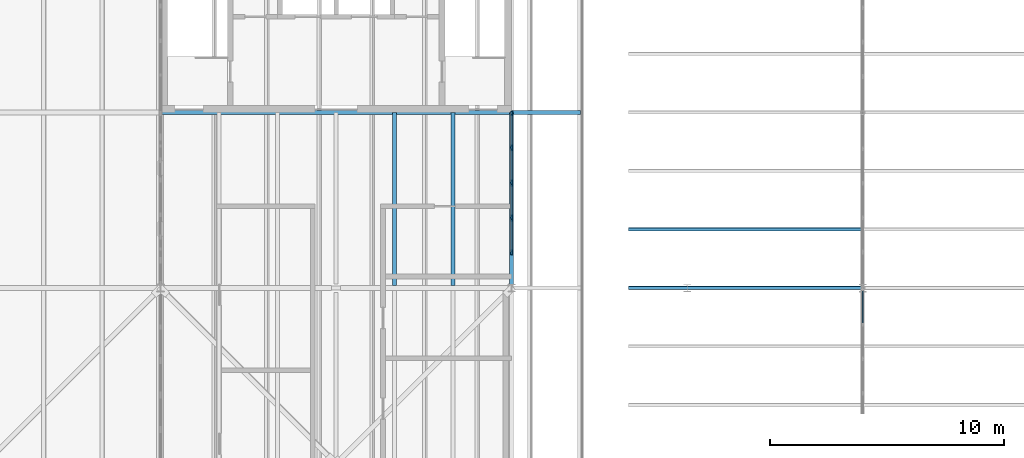
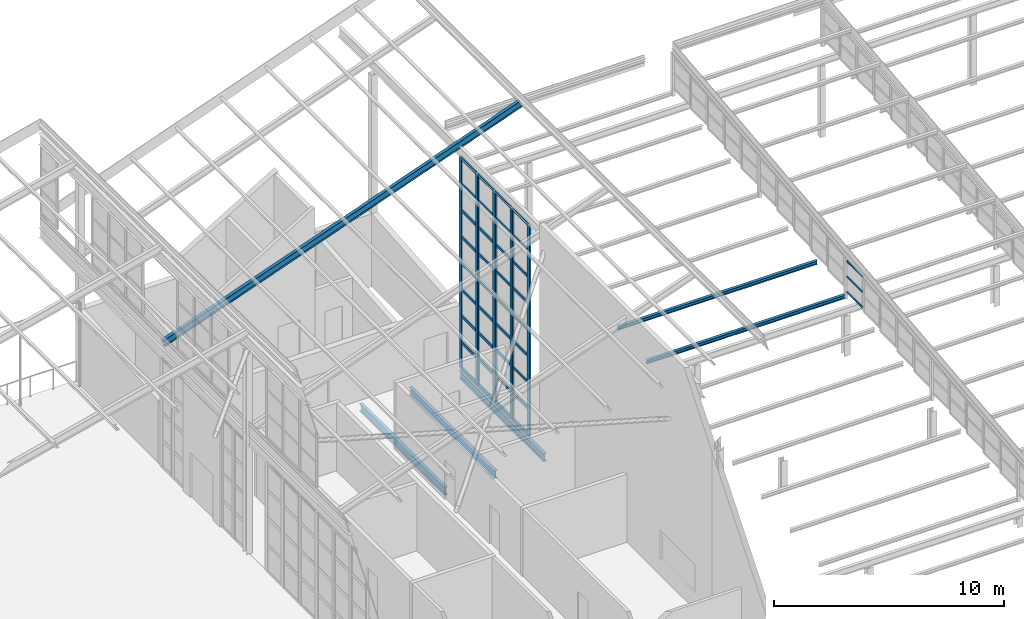
# One storey, part 59 of 483: 50 members, 3 beams, 5 elements without a shape of their own.
"""IFC4 building model written with IfcOpenShell, lengths in metres."""

import ifcopenshell
import ifcopenshell.guid

model = None  # the IFC model being written
_history = None  # IfcOwnerHistory: only IFC2X3 demands one
_inside = {}  # id of a spatial element -> (the spatial element, [elements in it])
_under = {}  # id of a project, library or spatial element -> (it, [spatial elements below it])
_declared = {}  # id of a project -> (the project, [libraries it declares])
_typed = {}  # id of a type object -> (the type object, [elements of that type])
_made_of = {}  # id of a material, layer set ... -> (it, [elements and type objects made of it])


def new_model(schema):
    """Start an empty IFC model of exactly this schema.

    Asked for "IFC4X3", IfcOpenShell would pick the latest addendum, in which some entities
    have other attributes; the version numbers below select the first issue.
    IFC2X3 requires an IfcOwnerHistory on every rooted entity: one is made here for all.
    """
    global model, _history
    if schema == "IFC4X3":
        model = ifcopenshell.file(schema_version=(4, 3, 0, 0))
    else:
        model = ifcopenshell.file(schema=schema)
    _inside.clear()
    _under.clear()
    _declared.clear()
    _typed.clear()
    _made_of.clear()
    _history = None
    if model.schema == "IFC2X3":
        org = make("IfcOrganization", Name="unknown")
        user = make(
            "IfcPersonAndOrganization",
            ThePerson=make("IfcPerson", FamilyName="unknown"),
            TheOrganization=org,
        )
        app = make(
            "IfcApplication",
            ApplicationDeveloper=org,
            Version="unknown",
            ApplicationFullName="unknown",
            ApplicationIdentifier="unknown",
        )
        _history = make(
            "IfcOwnerHistory",
            OwningUser=user,
            OwningApplication=app,
            ChangeAction="ADDED",
            CreationDate=0,
        )
    return model


def make(cls, **values):
    """One entity of the class cls with the attributes given. An attribute that is None is left unset."""
    return model.create_entity(
        cls, **{name: value for name, value in values.items() if value is not None}
    )


def rooted(cls, **values):
    """An entity with a GlobalId (a new one), such as an element, a storey or a relation."""
    return make(cls, GlobalId=ifcopenshell.guid.new(), OwnerHistory=_history, **values)


def si_unit(unit_type, name, prefix=None):
    """IfcSIUnit, for example si_unit("LENGTHUNIT", "METRE", prefix="MILLI")."""
    return make("IfcSIUnit", UnitType=unit_type, Prefix=prefix, Name=name)


def assignment(units):
    """IfcUnitAssignment: the units of a project."""
    return None if units is None else make("IfcUnitAssignment", Units=units)


def point(xyz):
    """IfcCartesianPoint."""
    return None if xyz is None else make("IfcCartesianPoint", Coordinates=xyz)


def direction(xyz):
    """IfcDirection."""
    return None if xyz is None else make("IfcDirection", DirectionRatios=xyz)


def frame(location, z_axis=None, x_axis=None):
    """IfcAxis2Placement3D, a coordinate frame: its origin and axes. An axis left out is left unset."""
    return make(
        "IfcAxis2Placement3D",
        Location=point(location),
        Axis=direction(z_axis),
        RefDirection=direction(x_axis),
    )


def frame_2d(location, x_axis=None):
    """IfcAxis2Placement2D, a coordinate frame in the plane: its origin and x axis."""
    return make(
        "IfcAxis2Placement2D", Location=point(location), RefDirection=direction(x_axis)
    )


def origin():
    """The frame at (0, 0, 0) with its axes left unset."""
    return frame((0.0, 0.0, 0.0))


def origin_2d():
    """The frame at (0, 0) in the plane with its x axis left unset."""
    return frame_2d((0.0, 0.0))


def place(relative_to, where):
    """IfcLocalPlacement: puts the frame where relative to a parent placement (None: the world)."""
    return make(
        "IfcLocalPlacement", PlacementRelTo=relative_to, RelativePlacement=where
    )


def context(
    kind, dimensions, precision=None, world=None, true_north=None, identifier=None
):
    """IfcGeometricRepresentationContext, for example the 3D "Model" context."""
    return make(
        "IfcGeometricRepresentationContext",
        ContextIdentifier=identifier,
        ContextType=kind,
        CoordinateSpaceDimension=dimensions,
        Precision=precision,
        WorldCoordinateSystem=world,
        TrueNorth=true_north,
    )


def subcontext(parent, identifier, kind, view, scale=None):
    """IfcGeometricRepresentationSubContext, for example "Body" below "Model"."""
    return make(
        "IfcGeometricRepresentationSubContext",
        ContextIdentifier=identifier,
        ContextType=kind,
        ParentContext=parent,
        TargetScale=scale,
        TargetView=view,
    )


def project(units=None, contexts=None):
    """IfcProject with its units and contexts."""
    return rooted(
        "IfcProject",
        Name="project",
        RepresentationContexts=contexts,
        UnitsInContext=assignment(units),
    )


def spatial(cls, under=None, at=None, **own):
    """A site, building, storey or space (cls), placed at a placement, below another one or the project."""
    s = rooted(cls, ObjectPlacement=at, **own)
    if under is not None:
        _under.setdefault(under.id(), (under, []))[1].append(s)
    return s


def profile(cls, at=None, kind="AREA", **sizes):
    """A parametric profile (cls). Its sizes go by their IFC names, for example OverallWidth=200.0."""
    return make(cls, ProfileType=kind, Position=at, **sizes)


def rectangle(**sizes):
    """IfcRectangleProfileDef."""
    return profile("IfcRectangleProfileDef", **sizes)


def i_section(**sizes):
    """IfcIShapeProfileDef."""
    return profile("IfcIShapeProfileDef", **sizes)


def extrude(swept, where, along, depth):
    """IfcExtrudedAreaSolid: the profile swept, set in the frame where, extruded along a direction by depth."""
    return make(
        "IfcExtrudedAreaSolid",
        SweptArea=swept,
        Position=where,
        ExtrudedDirection=direction(along),
        Depth=depth,
    )


def shape(context_of_items, identifier, shape_type, items):
    """IfcShapeRepresentation: the items that make up one representation, for example the "Body"."""
    return make(
        "IfcShapeRepresentation",
        ContextOfItems=context_of_items,
        RepresentationIdentifier=identifier,
        RepresentationType=shape_type,
        Items=items,
    )


def material(Name=None, Category=None):
    """IfcMaterial."""
    return make("IfcMaterial", Name=Name, Category=Category)


def material_profile(
    of_material, cross_section, Name=None, Category=None, Priority=None
):
    """IfcMaterialProfile: a cross section and its material."""
    return make(
        "IfcMaterialProfile",
        Name=Name,
        Material=of_material,
        Profile=cross_section,
        Priority=Priority,
        Category=Category,
    )


def profile_set(profiles, Name=None, composite=None):
    """IfcMaterialProfileSet."""
    return make(
        "IfcMaterialProfileSet",
        Name=Name,
        MaterialProfiles=profiles,
        CompositeProfile=composite,
    )


def made_of(thing, what):
    """Note that an element or type object is made of a material, layer set ...; save() writes the relation."""
    if what is not None:
        _made_of.setdefault(what.id(), (what, []))[1].append(thing)
    return thing


def type_object(cls, material=None, **own):
    """A type object (cls), such as IfcWallType, which elements share."""
    return made_of(rooted(cls, **own), material)


def element(
    cls,
    number,
    at=None,
    inside=None,
    cuts=None,
    type_object=None,
    material=None,
    context=None,
    identifier="Body",
    shape_type=None,
    held_by="IfcProductDefinitionShape",
    body=None,
    shapes=None,
    **own,
):
    """One element of the class cls, such as IfcWall. Its Tag is "e" and its number.

    at: its placement. inside: the storey or other place that contains it. cuts: it is an
    opening in that element (IfcRelVoidsElement). A single representation is given by context,
    identifier, shape_type and body (its items); several are given by shapes. held_by: the class
    of the entity that holds the representations. save() writes the other relations.
    """
    e = rooted(cls, Tag="e%d" % number, ObjectPlacement=at, **own)
    if body is not None:
        shapes = [shape(context, identifier, shape_type, body)]
    if shapes is not None:
        e.Representation = make(held_by, Representations=shapes)
    if inside is not None:
        _inside.setdefault(inside.id(), (inside, []))[1].append(e)
    if cuts is not None:
        rooted(
            "IfcRelVoidsElement", RelatingBuildingElement=cuts, RelatedOpeningElement=e
        )
    if type_object is not None:
        _typed.setdefault(type_object.id(), (type_object, []))[1].append(e)
    return made_of(e, material)


def aggregate(whole, parts):
    """IfcRelAggregates: a whole, such as a stair, and the parts it consists of."""
    return rooted("IfcRelAggregates", RelatingObject=whole, RelatedObjects=parts)


def save(model, path):
    """Write the relations noted so far, then the file.

    IfcRelAggregates (storeys below a building ...), IfcRelContainedInSpatialStructure (elements
    in a storey), IfcRelDefinesByType, IfcRelAssociatesMaterial and IfcRelDeclares: one each for
    every whole, place, type object, material and project.
    """
    for whole, parts in _under.values():
        aggregate(whole, parts)
    for where, things in _inside.values():
        rooted(
            "IfcRelContainedInSpatialStructure",
            RelatedElements=things,
            RelatingStructure=where,
        )
    for kind, things in _typed.values():
        rooted("IfcRelDefinesByType", RelatedObjects=things, RelatingType=kind)
    for what, things in _made_of.values():
        rooted("IfcRelAssociatesMaterial", RelatedObjects=things, RelatingMaterial=what)
    for by, libraries in _declared.values():
        rooted("IfcRelDeclares", RelatingContext=by, RelatedDefinitions=libraries)
    model.write(path)


model = new_model("IFC4")

# Units and contexts
model_context = context("Model", 3, precision=1e-05, world=origin(), true_north=direction((0.0, 1.0)))
body_context = subcontext(model_context, "Body", "Model", "MODEL_VIEW")
ifc_project = project(units=[si_unit("LENGTHUNIT", "METRE"), si_unit("AREAUNIT", "SQUARE_METRE"), si_unit("VOLUMEUNIT", "CUBIC_METRE"), si_unit("PLANEANGLEUNIT", "RADIAN"), si_unit("MASSUNIT", "GRAM", prefix="KILO")], contexts=[model_context])

# Site, building, storey
site_placement = place(None, origin())
site = spatial("IfcSite", under=ifc_project, at=site_placement, CompositionType="ELEMENT")
building_placement = place(site_placement, origin())
building = spatial("IfcBuilding", under=site, at=building_placement, Name="Parallax Yard Mobility Hub", CompositionType="ELEMENT")
storey_placement = place(building_placement, frame((0.0, 0.0, 13.199951171875)))
storey = spatial("IfcBuildingStorey", under=building, at=storey_placement, Name="L04", CompositionType="ELEMENT", Elevation=13.199951171875)

# Curtain wall, members
ifc_material_1 = material(Name="Thermally broken aluminium curtain wall system", Category="aluminium")
curtain_wall_type_1 = type_object("IfcCurtainWallType", Name="Tall curtain wall run 75 x 200 frame", PredefinedType="NOTDEFINED", material=ifc_material_1)
curtain_wall_1_placement = place(storey_placement, origin())
curtain_wall_1 = element("IfcCurtainWall", 1, at=curtain_wall_1_placement, inside=storey, type_object=curtain_wall_type_1, Name="Curtain wall run Rooftop sports deck east bay 3 level L04", PredefinedType="NOTDEFINED")
ifc_material_2 = material(Name="Extruded aluminium", Category="aluminium")
ifc_material_profile_1 = material_profile(ifc_material_2, rectangle(XDim=0.074951171875, YDim=0.199951171875, at=origin_2d()), Name="Mullion 75 x 200")
ifc_profile_set_1 = profile_set([ifc_material_profile_1], Name="Extruded aluminium")
member_type_1 = type_object("IfcMemberType", Name="Mullion 75 x 200", PredefinedType="MULLION", material=ifc_profile_set_1)
member_1_placement = place(storey_placement, frame((142.5, 39.03759765625, 0.0), z_axis=(0.0, 0.0, 1.0), x_axis=(-1.0, 0.0, 0.0)))
member_1 = element("IfcMember", 2, at=member_1_placement, type_object=member_type_1, Name="CW3 mullion 1", PredefinedType="MULLION", context=body_context, shape_type="SweptSolid", body=[
    extrude(rectangle(XDim=0.074951171875, YDim=0.199951171875, at=origin_2d()), origin(), (0.0, 0.0, 1.0), 11.199951171875),
])
member_2_placement = place(storey_placement, frame((142.5, 40.46240234375, 0.0), z_axis=(0.0, 0.0, 1.0), x_axis=(-1.0, 0.0, 0.0)))
member_2 = element("IfcMember", 3, at=member_2_placement, type_object=member_type_1, Name="CW3 mullion 2", PredefinedType="MULLION", context=body_context, shape_type="SweptSolid", body=[
    extrude(rectangle(XDim=0.074951171875, YDim=0.199951171875, at=origin_2d()), origin(), (0.0, 0.0, 1.0), 11.199951171875),
])

curtain_wall_2_placement = place(storey_placement, origin())
curtain_wall_2 = element("IfcCurtainWall", 4, at=curtain_wall_2_placement, inside=storey, type_object=curtain_wall_type_1, Name="Curtain wall run Rooftop sports deck east bay 3 level L04", PredefinedType="NOTDEFINED")
member_3_placement = place(storey_placement, frame((142.5, 40.53759765625, 0.0), z_axis=(0.0, 0.0, 1.0), x_axis=(-1.0, 0.0, 0.0)))
member_3 = element("IfcMember", 5, at=member_3_placement, type_object=member_type_1, Name="CW3 mullion 1", PredefinedType="MULLION", context=body_context, shape_type="SweptSolid", body=[
    extrude(rectangle(XDim=0.074951171875, YDim=0.199951171875, at=origin_2d()), origin(), (0.0, 0.0, 1.0), 11.199951171875),
])
member_4_placement = place(storey_placement, frame((142.5, 41.96240234375, 0.0), z_axis=(0.0, 0.0, 1.0), x_axis=(-1.0, 0.0, 0.0)))
member_4 = element("IfcMember", 6, at=member_4_placement, type_object=member_type_1, Name="CW3 mullion 2", PredefinedType="MULLION", context=body_context, shape_type="SweptSolid", body=[
    extrude(rectangle(XDim=0.074951171875, YDim=0.199951171875, at=origin_2d()), origin(), (0.0, 0.0, 1.0), 11.199951171875),
])

curtain_wall_3_placement = place(storey_placement, origin())
curtain_wall_3 = element("IfcCurtainWall", 7, at=curtain_wall_3_placement, inside=storey, type_object=curtain_wall_type_1, Name="Curtain wall run Rooftop sports deck east bay 3 level L04", PredefinedType="NOTDEFINED")
member_5_placement = place(storey_placement, frame((142.5, 42.03759765625, 0.0), z_axis=(0.0, 0.0, 1.0), x_axis=(-1.0, 0.0, 0.0)))
member_5 = element("IfcMember", 8, at=member_5_placement, type_object=member_type_1, Name="CW3 mullion 1", PredefinedType="MULLION", context=body_context, shape_type="SweptSolid", body=[
    extrude(rectangle(XDim=0.074951171875, YDim=0.199951171875, at=origin_2d()), origin(), (0.0, 0.0, 1.0), 11.199951171875),
])
member_6_placement = place(storey_placement, frame((142.5, 43.46240234375, 0.0), z_axis=(0.0, 0.0, 1.0), x_axis=(-1.0, 0.0, 0.0)))
member_6 = element("IfcMember", 9, at=member_6_placement, type_object=member_type_1, Name="CW3 mullion 2", PredefinedType="MULLION", context=body_context, shape_type="SweptSolid", body=[
    extrude(rectangle(XDim=0.074951171875, YDim=0.199951171875, at=origin_2d()), origin(), (0.0, 0.0, 1.0), 11.199951171875),
])

curtain_wall_4_placement = place(storey_placement, origin())
curtain_wall_4 = element("IfcCurtainWall", 10, at=curtain_wall_4_placement, inside=storey, type_object=curtain_wall_type_1, Name="Curtain wall run Rooftop sports deck east bay 3 level L04", PredefinedType="NOTDEFINED")
member_7_placement = place(storey_placement, frame((142.5, 43.53759765625, 0.0), z_axis=(0.0, 0.0, 1.0), x_axis=(-1.0, 0.0, 0.0)))
member_7 = element("IfcMember", 11, at=member_7_placement, type_object=member_type_1, Name="CW3 mullion 1", PredefinedType="MULLION", context=body_context, shape_type="SweptSolid", body=[
    extrude(rectangle(XDim=0.074951171875, YDim=0.199951171875, at=origin_2d()), origin(), (0.0, 0.0, 1.0), 11.199951171875),
])
member_8_placement = place(storey_placement, frame((142.5, 44.96240234375, 0.0), z_axis=(0.0, 0.0, 1.0), x_axis=(-1.0, 0.0, 0.0)))
member_8 = element("IfcMember", 12, at=member_8_placement, type_object=member_type_1, Name="CW3 mullion 2", PredefinedType="MULLION", context=body_context, shape_type="SweptSolid", body=[
    extrude(rectangle(XDim=0.074951171875, YDim=0.199951171875, at=origin_2d()), origin(), (0.0, 0.0, 1.0), 11.199951171875),
])

# Members
ifc_material_3 = material(Name="Steel ASTM A992", Category="steel")
ifc_material_profile_2 = material_profile(ifc_material_3, i_section(OverallWidth=0.133056640625, OverallDepth=0.20703125, WebThickness=0.005859375, FlangeThickness=0.00830078125, at=origin_2d()), Name="W200x27")
ifc_profile_set_2 = profile_set([ifc_material_profile_2], Name="Steel ASTM A992")
member_type_2 = type_object("IfcMemberType", Name="Roof purlin W200x27", PredefinedType="PURLIN", material=ifc_profile_set_2)
for number, where, z_axis, x_axis, name in (
    (13, (147.5, 37.511474609375, 3.0859375), (1.0, 0.0, 0.0), (0.0, 0.993883718765, 0.110431669255), "Roof purlin west of the monitor at y 37.5"),
    (14, (147.5, 40.011474609375, 3.36376953125), (1.0, 0.0, 0.0), (0.0, 0.993883718765, 0.110431669255), "Roof purlin west of the monitor at y 40"),
):
    element("IfcMember", number, at=place(storey_placement, frame(where, z_axis=z_axis, x_axis=x_axis)), inside=storey, type_object=member_type_2, Name=name, PredefinedType="PURLIN", context=body_context, shape_type="SweptSolid", body=[
        extrude(i_section(OverallWidth=0.133056640625, OverallDepth=0.20703125, WebThickness=0.005859375, FlangeThickness=0.00830078125, at=origin_2d()), origin(), (0.0, 0.0, 1.0), 10.0),
    ])
ifc_material_profile_3 = material_profile(ifc_material_3, i_section(OverallWidth=0.1708984375, OverallDepth=0.35498046875, WebThickness=0.007080078125, FlangeThickness=0.01171875, at=origin_2d()), Name="W360x51")
ifc_profile_set_3 = profile_set([ifc_material_profile_3], Name="Steel ASTM A992")
member_type_3 = type_object("IfcMemberType", Name="Roof rafter W360x51", PredefinedType="RAFTER", material=ifc_profile_set_3)
member_9_placement = place(storey_placement, frame((127.56005859375, 45.0, 6.499267578125), z_axis=(0.940884475378, 0.0, 0.33872762508), x_axis=(0.0, 1.0, 0.0)))
element("IfcMember", 15, at=member_9_placement, inside=storey, type_object=member_type_3, Name="Roof rafter pavilion at y 45", PredefinedType="RAFTER", context=body_context, shape_type="SweptSolid", body=[
    extrude(i_section(OverallWidth=0.1708984375, OverallDepth=0.35498046875, WebThickness=0.007080078125, FlangeThickness=0.01171875, at=origin_2d()), origin(), (0.0, 0.0, 1.0), 19.07763671875),
])

# Curtain wall, members
curtain_wall_type_2 = type_object("IfcCurtainWallType", Name="Clerestory glazing run 60 x 120 frame", PredefinedType="NOTDEFINED", material=ifc_material_1)
curtain_wall_5_placement = place(storey_placement, origin())
curtain_wall_5 = element("IfcCurtainWall", 16, at=curtain_wall_5_placement, inside=storey, type_object=curtain_wall_type_2, Name="Clerestory glazing run Bicycle and shared-mobility hall roof step 1 bay 4 level L02", PredefinedType="NOTDEFINED")
ifc_material_profile_4 = material_profile(ifc_material_2, rectangle(XDim=0.06005859375, YDim=0.10009765625, at=origin_2d()), Name="Transom 60 x 100")
ifc_profile_set_4 = profile_set([ifc_material_profile_4], Name="Extruded aluminium")
member_type_4 = type_object("IfcMemberType", Name="Transom 60 x 100", PredefinedType="USERDEFINED", material=ifc_profile_set_4)
member_10_placement = place(storey_placement, frame((157.5, 36.014404296875, 3.371337890625), z_axis=(0.0, 1.0, 0.0), x_axis=(-1.0, 0.0, 0.0)))
member_10 = element("IfcMember", 17, at=member_10_placement, type_object=member_type_4, Name="CW4 transom 1.1", ObjectType="TRANSOM", PredefinedType="USERDEFINED", context=body_context, shape_type="SweptSolid", body=[
    extrude(rectangle(XDim=0.06005859375, YDim=0.10009765625, at=origin_2d()), origin(), (0.0, 0.0, 1.0), 1.349365234375),
])
member_11_placement = place(storey_placement, frame((157.5, 36.014404296875, 4.189697265625), z_axis=(0.0, 1.0, 0.0), x_axis=(-1.0, 0.0, 0.0)))
member_11 = element("IfcMember", 18, at=member_11_placement, type_object=member_type_4, Name="CW4 transom 1.2", ObjectType="TRANSOM", PredefinedType="USERDEFINED", context=body_context, shape_type="SweptSolid", body=[
    extrude(rectangle(XDim=0.06005859375, YDim=0.10009765625, at=origin_2d()), origin(), (0.0, 0.0, 1.0), 1.349365234375),
])
member_12_placement = place(storey_placement, frame((157.5, 36.014404296875, 5.008056640625), z_axis=(0.0, 1.0, 0.0), x_axis=(-1.0, 0.0, 0.0)))
member_12 = element("IfcMember", 19, at=member_12_placement, type_object=member_type_4, Name="CW4 transom 1.3", ObjectType="TRANSOM", PredefinedType="USERDEFINED", context=body_context, shape_type="SweptSolid", body=[
    extrude(rectangle(XDim=0.06005859375, YDim=0.10009765625, at=origin_2d()), origin(), (0.0, 0.0, 1.0), 1.349365234375),
])
aggregate(curtain_wall_5, [member_10, member_11, member_12])

# Member
ifc_material_profile_5 = material_profile(ifc_material_2, rectangle(XDim=0.074951171875, YDim=0.14990234375, at=origin_2d()), Name="Transom 75 x 150")
ifc_profile_set_5 = profile_set([ifc_material_profile_5], Name="Extruded aluminium")
member_type_5 = type_object("IfcMemberType", Name="Transom 75 x 150", PredefinedType="USERDEFINED", material=ifc_profile_set_5)
member_13_placement = place(storey_placement, frame((142.5, 39.074951171875, 0.03759765625), z_axis=(0.0, 1.0, 0.0), x_axis=(-1.0, 0.0, 0.0)))
member_13 = element("IfcMember", 20, at=member_13_placement, type_object=member_type_5, Name="CW3 transom 1.1", ObjectType="TRANSOM", PredefinedType="USERDEFINED", context=body_context, shape_type="SweptSolid", body=[
    extrude(rectangle(XDim=0.074951171875, YDim=0.14990234375, at=origin_2d()), origin(), (0.0, 0.0, 1.0), 1.35009765625),
])

member_14_placement = place(storey_placement, frame((142.5, 39.074951171875, 1.400146484375), z_axis=(0.0, 1.0, 0.0), x_axis=(-1.0, 0.0, 0.0)))
member_14 = element("IfcMember", 21, at=member_14_placement, type_object=member_type_5, Name="CW3 transom 1.2", ObjectType="TRANSOM", PredefinedType="USERDEFINED", context=body_context, shape_type="SweptSolid", body=[
    extrude(rectangle(XDim=0.074951171875, YDim=0.14990234375, at=origin_2d()), origin(), (0.0, 0.0, 1.0), 1.35009765625),
])

member_15_placement = place(storey_placement, frame((142.5, 39.074951171875, 2.800048828125), z_axis=(0.0, 1.0, 0.0), x_axis=(-1.0, 0.0, 0.0)))
member_15 = element("IfcMember", 22, at=member_15_placement, type_object=member_type_5, Name="CW3 transom 1.3", ObjectType="TRANSOM", PredefinedType="USERDEFINED", context=body_context, shape_type="SweptSolid", body=[
    extrude(rectangle(XDim=0.074951171875, YDim=0.14990234375, at=origin_2d()), origin(), (0.0, 0.0, 1.0), 1.35009765625),
])

member_16_placement = place(storey_placement, frame((142.5, 39.074951171875, 4.199951171875), z_axis=(0.0, 1.0, 0.0), x_axis=(-1.0, 0.0, 0.0)))
member_16 = element("IfcMember", 23, at=member_16_placement, type_object=member_type_5, Name="CW3 transom 1.4", ObjectType="TRANSOM", PredefinedType="USERDEFINED", context=body_context, shape_type="SweptSolid", body=[
    extrude(rectangle(XDim=0.074951171875, YDim=0.14990234375, at=origin_2d()), origin(), (0.0, 0.0, 1.0), 1.35009765625),
])

member_17_placement = place(storey_placement, frame((142.5, 39.074951171875, 5.60009765625), z_axis=(0.0, 1.0, 0.0), x_axis=(-1.0, 0.0, 0.0)))
member_17 = element("IfcMember", 24, at=member_17_placement, type_object=member_type_5, Name="CW3 transom 1.5", ObjectType="TRANSOM", PredefinedType="USERDEFINED", context=body_context, shape_type="SweptSolid", body=[
    extrude(rectangle(XDim=0.074951171875, YDim=0.14990234375, at=origin_2d()), origin(), (0.0, 0.0, 1.0), 1.35009765625),
])

member_18_placement = place(storey_placement, frame((142.5, 39.074951171875, 7.0), z_axis=(0.0, 1.0, 0.0), x_axis=(-1.0, 0.0, 0.0)))
member_18 = element("IfcMember", 25, at=member_18_placement, type_object=member_type_5, Name="CW3 transom 1.6", ObjectType="TRANSOM", PredefinedType="USERDEFINED", context=body_context, shape_type="SweptSolid", body=[
    extrude(rectangle(XDim=0.074951171875, YDim=0.14990234375, at=origin_2d()), origin(), (0.0, 0.0, 1.0), 1.35009765625),
])

member_19_placement = place(storey_placement, frame((142.5, 39.074951171875, 8.400146484375), z_axis=(0.0, 1.0, 0.0), x_axis=(-1.0, 0.0, 0.0)))
member_19 = element("IfcMember", 26, at=member_19_placement, type_object=member_type_5, Name="CW3 transom 1.7", ObjectType="TRANSOM", PredefinedType="USERDEFINED", context=body_context, shape_type="SweptSolid", body=[
    extrude(rectangle(XDim=0.074951171875, YDim=0.14990234375, at=origin_2d()), origin(), (0.0, 0.0, 1.0), 1.35009765625),
])

member_20_placement = place(storey_placement, frame((142.5, 39.074951171875, 9.800048828125), z_axis=(0.0, 1.0, 0.0), x_axis=(-1.0, 0.0, 0.0)))
member_20 = element("IfcMember", 27, at=member_20_placement, type_object=member_type_5, Name="CW3 transom 1.8", ObjectType="TRANSOM", PredefinedType="USERDEFINED", context=body_context, shape_type="SweptSolid", body=[
    extrude(rectangle(XDim=0.074951171875, YDim=0.14990234375, at=origin_2d()), origin(), (0.0, 0.0, 1.0), 1.35009765625),
])

member_21_placement = place(storey_placement, frame((142.5, 39.074951171875, 11.16259765625), z_axis=(0.0, 1.0, 0.0), x_axis=(-1.0, 0.0, 0.0)))
member_21 = element("IfcMember", 28, at=member_21_placement, type_object=member_type_5, Name="CW3 transom 1.9", ObjectType="TRANSOM", PredefinedType="USERDEFINED", context=body_context, shape_type="SweptSolid", body=[
    extrude(rectangle(XDim=0.074951171875, YDim=0.14990234375, at=origin_2d()), origin(), (0.0, 0.0, 1.0), 1.35009765625),
])

aggregate(curtain_wall_1, [member_1, member_2, member_13, member_14, member_15, member_16, member_17, member_18, member_19, member_20, member_21])

member_22_placement = place(storey_placement, frame((142.5, 40.574951171875, 0.03759765625), z_axis=(0.0, 1.0, 0.0), x_axis=(-1.0, 0.0, 0.0)))
member_22 = element("IfcMember", 29, at=member_22_placement, type_object=member_type_5, Name="CW3 transom 1.1", ObjectType="TRANSOM", PredefinedType="USERDEFINED", context=body_context, shape_type="SweptSolid", body=[
    extrude(rectangle(XDim=0.074951171875, YDim=0.14990234375, at=origin_2d()), origin(), (0.0, 0.0, 1.0), 1.35009765625),
])

member_23_placement = place(storey_placement, frame((142.5, 40.574951171875, 1.400146484375), z_axis=(0.0, 1.0, 0.0), x_axis=(-1.0, 0.0, 0.0)))
member_23 = element("IfcMember", 30, at=member_23_placement, type_object=member_type_5, Name="CW3 transom 1.2", ObjectType="TRANSOM", PredefinedType="USERDEFINED", context=body_context, shape_type="SweptSolid", body=[
    extrude(rectangle(XDim=0.074951171875, YDim=0.14990234375, at=origin_2d()), origin(), (0.0, 0.0, 1.0), 1.35009765625),
])

member_24_placement = place(storey_placement, frame((142.5, 40.574951171875, 2.800048828125), z_axis=(0.0, 1.0, 0.0), x_axis=(-1.0, 0.0, 0.0)))
member_24 = element("IfcMember", 31, at=member_24_placement, type_object=member_type_5, Name="CW3 transom 1.3", ObjectType="TRANSOM", PredefinedType="USERDEFINED", context=body_context, shape_type="SweptSolid", body=[
    extrude(rectangle(XDim=0.074951171875, YDim=0.14990234375, at=origin_2d()), origin(), (0.0, 0.0, 1.0), 1.35009765625),
])

member_25_placement = place(storey_placement, frame((142.5, 40.574951171875, 4.199951171875), z_axis=(0.0, 1.0, 0.0), x_axis=(-1.0, 0.0, 0.0)))
member_25 = element("IfcMember", 32, at=member_25_placement, type_object=member_type_5, Name="CW3 transom 1.4", ObjectType="TRANSOM", PredefinedType="USERDEFINED", context=body_context, shape_type="SweptSolid", body=[
    extrude(rectangle(XDim=0.074951171875, YDim=0.14990234375, at=origin_2d()), origin(), (0.0, 0.0, 1.0), 1.35009765625),
])

member_26_placement = place(storey_placement, frame((142.5, 40.574951171875, 5.60009765625), z_axis=(0.0, 1.0, 0.0), x_axis=(-1.0, 0.0, 0.0)))
member_26 = element("IfcMember", 33, at=member_26_placement, type_object=member_type_5, Name="CW3 transom 1.5", ObjectType="TRANSOM", PredefinedType="USERDEFINED", context=body_context, shape_type="SweptSolid", body=[
    extrude(rectangle(XDim=0.074951171875, YDim=0.14990234375, at=origin_2d()), origin(), (0.0, 0.0, 1.0), 1.35009765625),
])

member_27_placement = place(storey_placement, frame((142.5, 40.574951171875, 7.0), z_axis=(0.0, 1.0, 0.0), x_axis=(-1.0, 0.0, 0.0)))
member_27 = element("IfcMember", 34, at=member_27_placement, type_object=member_type_5, Name="CW3 transom 1.6", ObjectType="TRANSOM", PredefinedType="USERDEFINED", context=body_context, shape_type="SweptSolid", body=[
    extrude(rectangle(XDim=0.074951171875, YDim=0.14990234375, at=origin_2d()), origin(), (0.0, 0.0, 1.0), 1.35009765625),
])

member_28_placement = place(storey_placement, frame((142.5, 40.574951171875, 8.400146484375), z_axis=(0.0, 1.0, 0.0), x_axis=(-1.0, 0.0, 0.0)))
member_28 = element("IfcMember", 35, at=member_28_placement, type_object=member_type_5, Name="CW3 transom 1.7", ObjectType="TRANSOM", PredefinedType="USERDEFINED", context=body_context, shape_type="SweptSolid", body=[
    extrude(rectangle(XDim=0.074951171875, YDim=0.14990234375, at=origin_2d()), origin(), (0.0, 0.0, 1.0), 1.35009765625),
])

member_29_placement = place(storey_placement, frame((142.5, 40.574951171875, 9.800048828125), z_axis=(0.0, 1.0, 0.0), x_axis=(-1.0, 0.0, 0.0)))
member_29 = element("IfcMember", 36, at=member_29_placement, type_object=member_type_5, Name="CW3 transom 1.8", ObjectType="TRANSOM", PredefinedType="USERDEFINED", context=body_context, shape_type="SweptSolid", body=[
    extrude(rectangle(XDim=0.074951171875, YDim=0.14990234375, at=origin_2d()), origin(), (0.0, 0.0, 1.0), 1.35009765625),
])

member_30_placement = place(storey_placement, frame((142.5, 40.574951171875, 11.16259765625), z_axis=(0.0, 1.0, 0.0), x_axis=(-1.0, 0.0, 0.0)))
member_30 = element("IfcMember", 37, at=member_30_placement, type_object=member_type_5, Name="CW3 transom 1.9", ObjectType="TRANSOM", PredefinedType="USERDEFINED", context=body_context, shape_type="SweptSolid", body=[
    extrude(rectangle(XDim=0.074951171875, YDim=0.14990234375, at=origin_2d()), origin(), (0.0, 0.0, 1.0), 1.35009765625),
])

aggregate(curtain_wall_2, [member_3, member_4, member_22, member_23, member_24, member_25, member_26, member_27, member_28, member_29, member_30])

member_31_placement = place(storey_placement, frame((142.5, 42.074951171875, 0.03759765625), z_axis=(0.0, 1.0, 0.0), x_axis=(-1.0, 0.0, 0.0)))
member_31 = element("IfcMember", 38, at=member_31_placement, type_object=member_type_5, Name="CW3 transom 1.1", ObjectType="TRANSOM", PredefinedType="USERDEFINED", context=body_context, shape_type="SweptSolid", body=[
    extrude(rectangle(XDim=0.074951171875, YDim=0.14990234375, at=origin_2d()), origin(), (0.0, 0.0, 1.0), 1.35009765625),
])

member_32_placement = place(storey_placement, frame((142.5, 42.074951171875, 1.400146484375), z_axis=(0.0, 1.0, 0.0), x_axis=(-1.0, 0.0, 0.0)))
member_32 = element("IfcMember", 39, at=member_32_placement, type_object=member_type_5, Name="CW3 transom 1.2", ObjectType="TRANSOM", PredefinedType="USERDEFINED", context=body_context, shape_type="SweptSolid", body=[
    extrude(rectangle(XDim=0.074951171875, YDim=0.14990234375, at=origin_2d()), origin(), (0.0, 0.0, 1.0), 1.35009765625),
])

member_33_placement = place(storey_placement, frame((142.5, 42.074951171875, 2.800048828125), z_axis=(0.0, 1.0, 0.0), x_axis=(-1.0, 0.0, 0.0)))
member_33 = element("IfcMember", 40, at=member_33_placement, type_object=member_type_5, Name="CW3 transom 1.3", ObjectType="TRANSOM", PredefinedType="USERDEFINED", context=body_context, shape_type="SweptSolid", body=[
    extrude(rectangle(XDim=0.074951171875, YDim=0.14990234375, at=origin_2d()), origin(), (0.0, 0.0, 1.0), 1.35009765625),
])

member_34_placement = place(storey_placement, frame((142.5, 42.074951171875, 4.199951171875), z_axis=(0.0, 1.0, 0.0), x_axis=(-1.0, 0.0, 0.0)))
member_34 = element("IfcMember", 41, at=member_34_placement, type_object=member_type_5, Name="CW3 transom 1.4", ObjectType="TRANSOM", PredefinedType="USERDEFINED", context=body_context, shape_type="SweptSolid", body=[
    extrude(rectangle(XDim=0.074951171875, YDim=0.14990234375, at=origin_2d()), origin(), (0.0, 0.0, 1.0), 1.35009765625),
])

member_35_placement = place(storey_placement, frame((142.5, 42.074951171875, 5.60009765625), z_axis=(0.0, 1.0, 0.0), x_axis=(-1.0, 0.0, 0.0)))
member_35 = element("IfcMember", 42, at=member_35_placement, type_object=member_type_5, Name="CW3 transom 1.5", ObjectType="TRANSOM", PredefinedType="USERDEFINED", context=body_context, shape_type="SweptSolid", body=[
    extrude(rectangle(XDim=0.074951171875, YDim=0.14990234375, at=origin_2d()), origin(), (0.0, 0.0, 1.0), 1.35009765625),
])

member_36_placement = place(storey_placement, frame((142.5, 42.074951171875, 7.0), z_axis=(0.0, 1.0, 0.0), x_axis=(-1.0, 0.0, 0.0)))
member_36 = element("IfcMember", 43, at=member_36_placement, type_object=member_type_5, Name="CW3 transom 1.6", ObjectType="TRANSOM", PredefinedType="USERDEFINED", context=body_context, shape_type="SweptSolid", body=[
    extrude(rectangle(XDim=0.074951171875, YDim=0.14990234375, at=origin_2d()), origin(), (0.0, 0.0, 1.0), 1.35009765625),
])

member_37_placement = place(storey_placement, frame((142.5, 42.074951171875, 8.400146484375), z_axis=(0.0, 1.0, 0.0), x_axis=(-1.0, 0.0, 0.0)))
member_37 = element("IfcMember", 44, at=member_37_placement, type_object=member_type_5, Name="CW3 transom 1.7", ObjectType="TRANSOM", PredefinedType="USERDEFINED", context=body_context, shape_type="SweptSolid", body=[
    extrude(rectangle(XDim=0.074951171875, YDim=0.14990234375, at=origin_2d()), origin(), (0.0, 0.0, 1.0), 1.35009765625),
])

member_38_placement = place(storey_placement, frame((142.5, 42.074951171875, 9.800048828125), z_axis=(0.0, 1.0, 0.0), x_axis=(-1.0, 0.0, 0.0)))
member_38 = element("IfcMember", 45, at=member_38_placement, type_object=member_type_5, Name="CW3 transom 1.8", ObjectType="TRANSOM", PredefinedType="USERDEFINED", context=body_context, shape_type="SweptSolid", body=[
    extrude(rectangle(XDim=0.074951171875, YDim=0.14990234375, at=origin_2d()), origin(), (0.0, 0.0, 1.0), 1.35009765625),
])

member_39_placement = place(storey_placement, frame((142.5, 42.074951171875, 11.16259765625), z_axis=(0.0, 1.0, 0.0), x_axis=(-1.0, 0.0, 0.0)))
member_39 = element("IfcMember", 46, at=member_39_placement, type_object=member_type_5, Name="CW3 transom 1.9", ObjectType="TRANSOM", PredefinedType="USERDEFINED", context=body_context, shape_type="SweptSolid", body=[
    extrude(rectangle(XDim=0.074951171875, YDim=0.14990234375, at=origin_2d()), origin(), (0.0, 0.0, 1.0), 1.35009765625),
])

aggregate(curtain_wall_3, [member_5, member_6, member_31, member_32, member_33, member_34, member_35, member_36, member_37, member_38, member_39])

member_40_placement = place(storey_placement, frame((142.5, 43.574951171875, 0.03759765625), z_axis=(0.0, 1.0, 0.0), x_axis=(-1.0, 0.0, 0.0)))
member_40 = element("IfcMember", 47, at=member_40_placement, type_object=member_type_5, Name="CW3 transom 1.1", ObjectType="TRANSOM", PredefinedType="USERDEFINED", context=body_context, shape_type="SweptSolid", body=[
    extrude(rectangle(XDim=0.074951171875, YDim=0.14990234375, at=origin_2d()), origin(), (0.0, 0.0, 1.0), 1.35009765625),
])

member_41_placement = place(storey_placement, frame((142.5, 43.574951171875, 1.400146484375), z_axis=(0.0, 1.0, 0.0), x_axis=(-1.0, 0.0, 0.0)))
member_41 = element("IfcMember", 48, at=member_41_placement, type_object=member_type_5, Name="CW3 transom 1.2", ObjectType="TRANSOM", PredefinedType="USERDEFINED", context=body_context, shape_type="SweptSolid", body=[
    extrude(rectangle(XDim=0.074951171875, YDim=0.14990234375, at=origin_2d()), origin(), (0.0, 0.0, 1.0), 1.35009765625),
])

member_42_placement = place(storey_placement, frame((142.5, 43.574951171875, 2.800048828125), z_axis=(0.0, 1.0, 0.0), x_axis=(-1.0, 0.0, 0.0)))
member_42 = element("IfcMember", 49, at=member_42_placement, type_object=member_type_5, Name="CW3 transom 1.3", ObjectType="TRANSOM", PredefinedType="USERDEFINED", context=body_context, shape_type="SweptSolid", body=[
    extrude(rectangle(XDim=0.074951171875, YDim=0.14990234375, at=origin_2d()), origin(), (0.0, 0.0, 1.0), 1.35009765625),
])

member_43_placement = place(storey_placement, frame((142.5, 43.574951171875, 4.199951171875), z_axis=(0.0, 1.0, 0.0), x_axis=(-1.0, 0.0, 0.0)))
member_43 = element("IfcMember", 50, at=member_43_placement, type_object=member_type_5, Name="CW3 transom 1.4", ObjectType="TRANSOM", PredefinedType="USERDEFINED", context=body_context, shape_type="SweptSolid", body=[
    extrude(rectangle(XDim=0.074951171875, YDim=0.14990234375, at=origin_2d()), origin(), (0.0, 0.0, 1.0), 1.35009765625),
])

member_44_placement = place(storey_placement, frame((142.5, 43.574951171875, 5.60009765625), z_axis=(0.0, 1.0, 0.0), x_axis=(-1.0, 0.0, 0.0)))
member_44 = element("IfcMember", 51, at=member_44_placement, type_object=member_type_5, Name="CW3 transom 1.5", ObjectType="TRANSOM", PredefinedType="USERDEFINED", context=body_context, shape_type="SweptSolid", body=[
    extrude(rectangle(XDim=0.074951171875, YDim=0.14990234375, at=origin_2d()), origin(), (0.0, 0.0, 1.0), 1.35009765625),
])

member_45_placement = place(storey_placement, frame((142.5, 43.574951171875, 7.0), z_axis=(0.0, 1.0, 0.0), x_axis=(-1.0, 0.0, 0.0)))
member_45 = element("IfcMember", 52, at=member_45_placement, type_object=member_type_5, Name="CW3 transom 1.6", ObjectType="TRANSOM", PredefinedType="USERDEFINED", context=body_context, shape_type="SweptSolid", body=[
    extrude(rectangle(XDim=0.074951171875, YDim=0.14990234375, at=origin_2d()), origin(), (0.0, 0.0, 1.0), 1.35009765625),
])

member_46_placement = place(storey_placement, frame((142.5, 43.574951171875, 8.400146484375), z_axis=(0.0, 1.0, 0.0), x_axis=(-1.0, 0.0, 0.0)))
member_46 = element("IfcMember", 53, at=member_46_placement, type_object=member_type_5, Name="CW3 transom 1.7", ObjectType="TRANSOM", PredefinedType="USERDEFINED", context=body_context, shape_type="SweptSolid", body=[
    extrude(rectangle(XDim=0.074951171875, YDim=0.14990234375, at=origin_2d()), origin(), (0.0, 0.0, 1.0), 1.35009765625),
])

member_47_placement = place(storey_placement, frame((142.5, 43.574951171875, 9.800048828125), z_axis=(0.0, 1.0, 0.0), x_axis=(-1.0, 0.0, 0.0)))
member_47 = element("IfcMember", 54, at=member_47_placement, type_object=member_type_5, Name="CW3 transom 1.8", ObjectType="TRANSOM", PredefinedType="USERDEFINED", context=body_context, shape_type="SweptSolid", body=[
    extrude(rectangle(XDim=0.074951171875, YDim=0.14990234375, at=origin_2d()), origin(), (0.0, 0.0, 1.0), 1.35009765625),
])

member_48_placement = place(storey_placement, frame((142.5, 43.574951171875, 11.16259765625), z_axis=(0.0, 1.0, 0.0), x_axis=(-1.0, 0.0, 0.0)))
member_48 = element("IfcMember", 55, at=member_48_placement, type_object=member_type_5, Name="CW3 transom 1.9", ObjectType="TRANSOM", PredefinedType="USERDEFINED", context=body_context, shape_type="SweptSolid", body=[
    extrude(rectangle(XDim=0.074951171875, YDim=0.14990234375, at=origin_2d()), origin(), (0.0, 0.0, 1.0), 1.35009765625),
])

aggregate(curtain_wall_4, [member_7, member_8, member_40, member_41, member_42, member_43, member_44, member_45, member_46, member_47, member_48])

# Beams
ifc_material_profile_6 = material_profile(ifc_material_3, i_section(OverallWidth=0.177978515625, OverallDepth=0.406005859375, WebThickness=0.0078125, FlangeThickness=0.0126953125, FilletRadius=0.01025390625, at=origin_2d()), Name="W410x60")
ifc_profile_set_6 = profile_set([ifc_material_profile_6], Name="Steel ASTM A992")
beam_type_1 = type_object("IfcBeamType", Name="W410x60 secondary beam", PredefinedType="JOIST", material=ifc_profile_set_6)
for number, where, z_axis, x_axis, name in (
    (56, (137.5, 37.6044921875, -0.343017578125), (0.0, 1.0, 0.0), (-1.0, 0.0, 0.0), "Secondary beam B1 level L04, 2.5 m east of line 19 of mobility service centre and workshops, span 5"),
    (57, (140.0, 37.6044921875, -0.343017578125), (0.0, 1.0, 0.0), (-1.0, 0.0, 0.0), "Secondary beam B1 level L04, 5 m east of line 19 of mobility service centre and workshops, span 5"),
):
    element("IfcBeam", number, at=place(storey_placement, frame(where, z_axis=z_axis, x_axis=x_axis)), inside=storey, type_object=beam_type_1, Name=name, PredefinedType="JOIST", context=body_context, shape_type="SweptSolid", body=[
        extrude(i_section(OverallWidth=0.177978515625, OverallDepth=0.406005859375, WebThickness=0.0078125, FlangeThickness=0.0126953125, FilletRadius=0.01025390625, at=origin_2d()), origin(), (0.0, 0.0, 1.0), 7.3955078125),
    ])
ifc_material_profile_7 = material_profile(ifc_material_3, i_section(OverallWidth=0.178955078125, OverallDepth=0.408935546875, WebThickness=0.0087890625, FlangeThickness=0.014404296875, FilletRadius=0.01025390625, at=origin_2d()), Name="W410x67")
ifc_profile_set_7 = profile_set([ifc_material_profile_7], Name="Steel ASTM A992")
beam_type_2 = type_object("IfcBeamType", Name="W410x67 edge beam", PredefinedType="SPANDREL", material=ifc_profile_set_7)
beam_placement = place(storey_placement, frame((142.5, 37.658935546875, -0.344482421875), z_axis=(0.0, 1.0, 0.0), x_axis=(-1.0, 0.0, 0.0)))
element("IfcBeam", 58, at=beam_placement, inside=storey, type_object=beam_type_2, Name="Edge beam SB3 level L04, line 20 of mobility service centre and workshops, span 5", PredefinedType="SPANDREL", context=body_context, shape_type="SweptSolid", body=[
    extrude(i_section(OverallWidth=0.178955078125, OverallDepth=0.408935546875, WebThickness=0.0087890625, FlangeThickness=0.014404296875, FilletRadius=0.01025390625, at=origin_2d()), origin(), (0.0, 0.0, 1.0), 7.341064453125),
])

save(model, "model.ifc")
